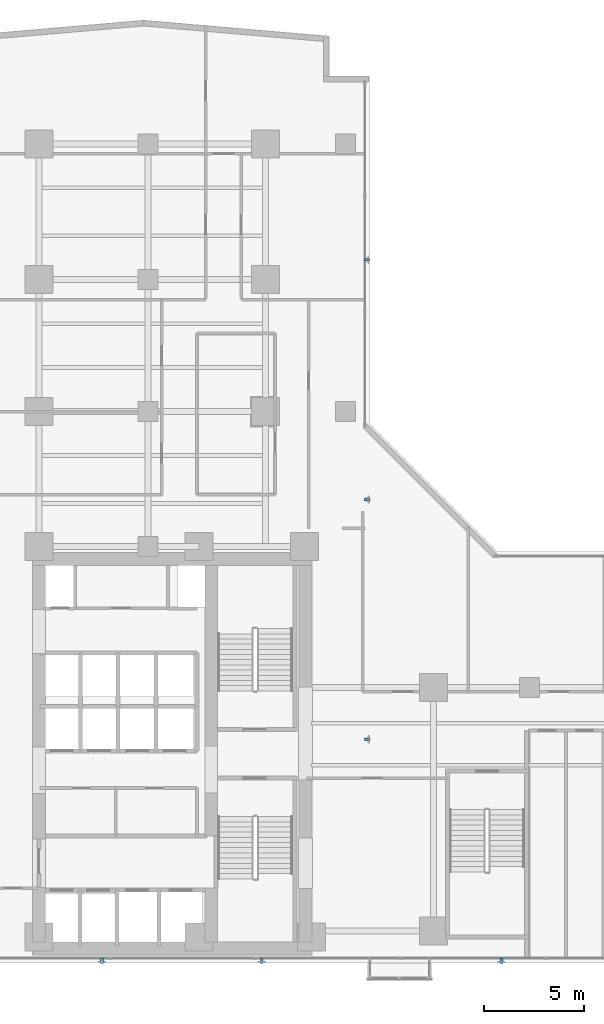
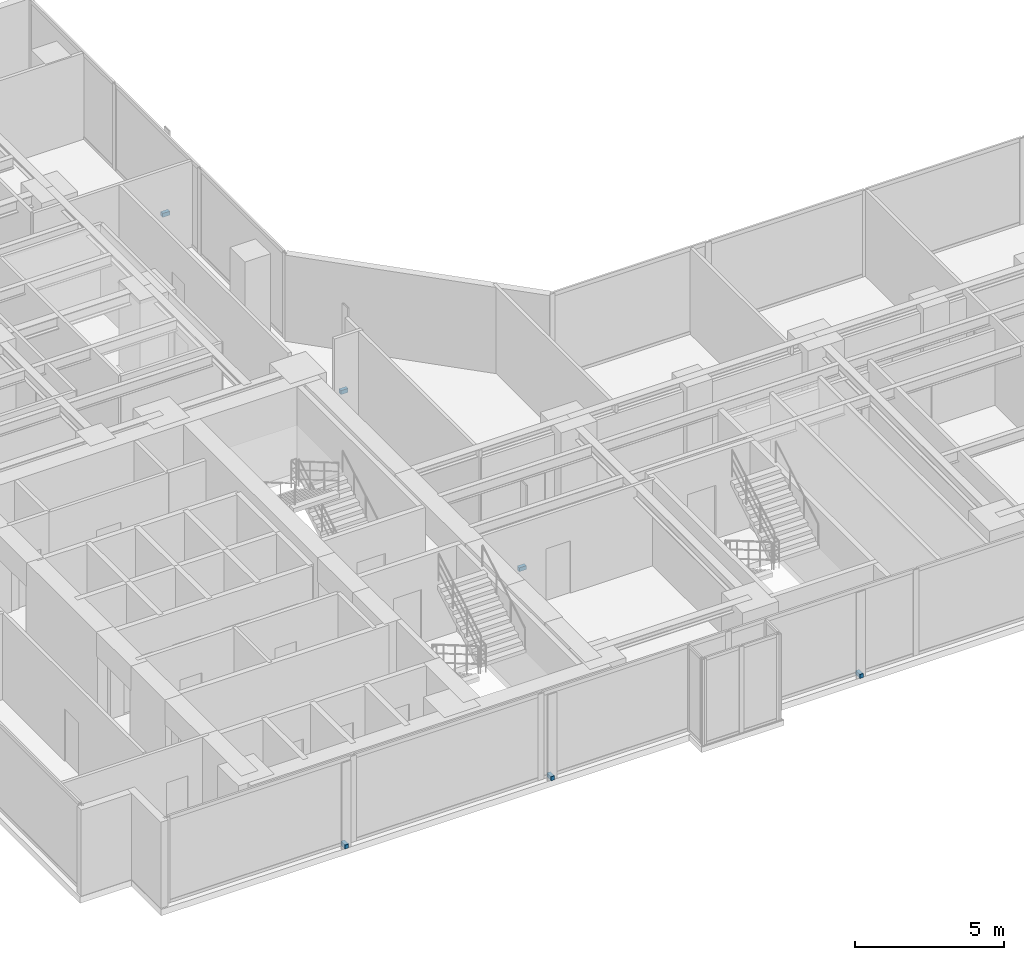
# One storey, part 22 of 26: 6 discrete accessories.
"""IFC4 building model written with IfcOpenShell, lengths in metres."""

import ifcopenshell
import ifcopenshell.guid

model = None  # the IFC model being written
_history = None  # IfcOwnerHistory: only IFC2X3 demands one
_inside = {}  # id of a spatial element -> (the spatial element, [elements in it])
_under = {}  # id of a project, library or spatial element -> (it, [spatial elements below it])
_declared = {}  # id of a project -> (the project, [libraries it declares])
_typed = {}  # id of a type object -> (the type object, [elements of that type])
_made_of = {}  # id of a material, layer set ... -> (it, [elements and type objects made of it])


def new_model(schema):
    """Start an empty IFC model of exactly this schema.

    Asked for "IFC4X3", IfcOpenShell would pick the latest addendum, in which some entities
    have other attributes; the version numbers below select the first issue.
    IFC2X3 requires an IfcOwnerHistory on every rooted entity: one is made here for all.
    """
    global model, _history
    if schema == "IFC4X3":
        model = ifcopenshell.file(schema_version=(4, 3, 0, 0))
    else:
        model = ifcopenshell.file(schema=schema)
    _inside.clear()
    _under.clear()
    _declared.clear()
    _typed.clear()
    _made_of.clear()
    _history = None
    if model.schema == "IFC2X3":
        org = make("IfcOrganization", Name="unknown")
        user = make(
            "IfcPersonAndOrganization",
            ThePerson=make("IfcPerson", FamilyName="unknown"),
            TheOrganization=org,
        )
        app = make(
            "IfcApplication",
            ApplicationDeveloper=org,
            Version="unknown",
            ApplicationFullName="unknown",
            ApplicationIdentifier="unknown",
        )
        _history = make(
            "IfcOwnerHistory",
            OwningUser=user,
            OwningApplication=app,
            ChangeAction="ADDED",
            CreationDate=0,
        )
    return model


def make(cls, **values):
    """One entity of the class cls with the attributes given. An attribute that is None is left unset."""
    return model.create_entity(
        cls, **{name: value for name, value in values.items() if value is not None}
    )


def rooted(cls, **values):
    """An entity with a GlobalId (a new one), such as an element, a storey or a relation."""
    return make(cls, GlobalId=ifcopenshell.guid.new(), OwnerHistory=_history, **values)


def si_unit(unit_type, name, prefix=None):
    """IfcSIUnit, for example si_unit("LENGTHUNIT", "METRE", prefix="MILLI")."""
    return make("IfcSIUnit", UnitType=unit_type, Prefix=prefix, Name=name)


def assignment(units):
    """IfcUnitAssignment: the units of a project."""
    return None if units is None else make("IfcUnitAssignment", Units=units)


def point(xyz):
    """IfcCartesianPoint."""
    return None if xyz is None else make("IfcCartesianPoint", Coordinates=xyz)


def direction(xyz):
    """IfcDirection."""
    return None if xyz is None else make("IfcDirection", DirectionRatios=xyz)


def frame(location, z_axis=None, x_axis=None):
    """IfcAxis2Placement3D, a coordinate frame: its origin and axes. An axis left out is left unset."""
    return make(
        "IfcAxis2Placement3D",
        Location=point(location),
        Axis=direction(z_axis),
        RefDirection=direction(x_axis),
    )


def frame_2d(location, x_axis=None):
    """IfcAxis2Placement2D, a coordinate frame in the plane: its origin and x axis."""
    return make(
        "IfcAxis2Placement2D", Location=point(location), RefDirection=direction(x_axis)
    )


def origin():
    """The frame at (0, 0, 0) with its axes left unset."""
    return frame((0.0, 0.0, 0.0))


def origin_with_axes():
    """The frame at (0, 0, 0) with the z axis (0, 0, 1) and the x axis (1, 0, 0) written out."""
    return frame((0.0, 0.0, 0.0), z_axis=(0.0, 0.0, 1.0), x_axis=(1.0, 0.0, 0.0))


def origin_2d():
    """The frame at (0, 0) in the plane with its x axis left unset."""
    return frame_2d((0.0, 0.0))


def place(relative_to, where):
    """IfcLocalPlacement: puts the frame where relative to a parent placement (None: the world)."""
    return make(
        "IfcLocalPlacement", PlacementRelTo=relative_to, RelativePlacement=where
    )


def context(
    kind, dimensions, precision=None, world=None, true_north=None, identifier=None
):
    """IfcGeometricRepresentationContext, for example the 3D "Model" context."""
    return make(
        "IfcGeometricRepresentationContext",
        ContextIdentifier=identifier,
        ContextType=kind,
        CoordinateSpaceDimension=dimensions,
        Precision=precision,
        WorldCoordinateSystem=world,
        TrueNorth=true_north,
    )


def subcontext(parent, identifier, kind, view, scale=None):
    """IfcGeometricRepresentationSubContext, for example "Body" below "Model"."""
    return make(
        "IfcGeometricRepresentationSubContext",
        ContextIdentifier=identifier,
        ContextType=kind,
        ParentContext=parent,
        TargetScale=scale,
        TargetView=view,
    )


def project(units=None, contexts=None):
    """IfcProject with its units and contexts."""
    return rooted(
        "IfcProject",
        Name="project",
        RepresentationContexts=contexts,
        UnitsInContext=assignment(units),
    )


def spatial(cls, under=None, at=None, **own):
    """A site, building, storey or space (cls), placed at a placement, below another one or the project."""
    s = rooted(cls, ObjectPlacement=at, **own)
    if under is not None:
        _under.setdefault(under.id(), (under, []))[1].append(s)
    return s


def profile(cls, at=None, kind="AREA", **sizes):
    """A parametric profile (cls). Its sizes go by their IFC names, for example OverallWidth=200.0."""
    return make(cls, ProfileType=kind, Position=at, **sizes)


def rectangle(**sizes):
    """IfcRectangleProfileDef."""
    return profile("IfcRectangleProfileDef", **sizes)


def extrude(swept, where, along, depth):
    """IfcExtrudedAreaSolid: the profile swept, set in the frame where, extruded along a direction by depth."""
    return make(
        "IfcExtrudedAreaSolid",
        SweptArea=swept,
        Position=where,
        ExtrudedDirection=direction(along),
        Depth=depth,
    )


def shape(context_of_items, identifier, shape_type, items):
    """IfcShapeRepresentation: the items that make up one representation, for example the "Body"."""
    return make(
        "IfcShapeRepresentation",
        ContextOfItems=context_of_items,
        RepresentationIdentifier=identifier,
        RepresentationType=shape_type,
        Items=items,
    )


def source(mapping_origin, context_of_items, identifier, shape_type, items):
    """IfcRepresentationMap: a shape defined once, which mapped items show again and again."""
    return make(
        "IfcRepresentationMap",
        MappingOrigin=mapping_origin,
        MappedRepresentation=shape(context_of_items, identifier, shape_type, items),
    )


def transform(
    local_origin,
    x_axis=None,
    y_axis=None,
    z_axis=None,
    scale=None,
    scale2=None,
    scale3=None,
    uniform=True,
):
    """IfcCartesianTransformationOperator3D, or its non-uniform kind. x_axis, y_axis, z_axis: its Axis1, 2, 3."""
    if uniform:
        return make(
            "IfcCartesianTransformationOperator3D",
            Axis1=direction(x_axis),
            Axis2=direction(y_axis),
            LocalOrigin=point(local_origin),
            Scale=scale,
            Axis3=direction(z_axis),
        )
    return make(
        "IfcCartesianTransformationOperator3DnonUniform",
        Axis1=direction(x_axis),
        Axis2=direction(y_axis),
        LocalOrigin=point(local_origin),
        Scale=scale,
        Axis3=direction(z_axis),
        Scale2=scale2,
        Scale3=scale3,
    )


def mapped(mapping_source, mapping_target):
    """IfcMappedItem: shows the shape of a source again, moved by a transform."""
    return make(
        "IfcMappedItem", MappingSource=mapping_source, MappingTarget=mapping_target
    )


def material(Name=None, Category=None):
    """IfcMaterial."""
    return make("IfcMaterial", Name=Name, Category=Category)


def made_of(thing, what):
    """Note that an element or type object is made of a material, layer set ...; save() writes the relation."""
    if what is not None:
        _made_of.setdefault(what.id(), (what, []))[1].append(thing)
    return thing


def type_object(cls, material=None, **own):
    """A type object (cls), such as IfcWallType, which elements share."""
    return made_of(rooted(cls, **own), material)


def element(
    cls,
    number,
    at=None,
    inside=None,
    cuts=None,
    type_object=None,
    material=None,
    context=None,
    identifier="Body",
    shape_type=None,
    held_by="IfcProductDefinitionShape",
    body=None,
    shapes=None,
    **own,
):
    """One element of the class cls, such as IfcWall. Its Tag is "e" and its number.

    at: its placement. inside: the storey or other place that contains it. cuts: it is an
    opening in that element (IfcRelVoidsElement). A single representation is given by context,
    identifier, shape_type and body (its items); several are given by shapes. held_by: the class
    of the entity that holds the representations. save() writes the other relations.
    """
    e = rooted(cls, Tag="e%d" % number, ObjectPlacement=at, **own)
    if body is not None:
        shapes = [shape(context, identifier, shape_type, body)]
    if shapes is not None:
        e.Representation = make(held_by, Representations=shapes)
    if inside is not None:
        _inside.setdefault(inside.id(), (inside, []))[1].append(e)
    if cuts is not None:
        rooted(
            "IfcRelVoidsElement", RelatingBuildingElement=cuts, RelatedOpeningElement=e
        )
    if type_object is not None:
        _typed.setdefault(type_object.id(), (type_object, []))[1].append(e)
    return made_of(e, material)


def aggregate(whole, parts):
    """IfcRelAggregates: a whole, such as a stair, and the parts it consists of."""
    return rooted("IfcRelAggregates", RelatingObject=whole, RelatedObjects=parts)


def save(model, path):
    """Write the relations noted so far, then the file.

    IfcRelAggregates (storeys below a building ...), IfcRelContainedInSpatialStructure (elements
    in a storey), IfcRelDefinesByType, IfcRelAssociatesMaterial and IfcRelDeclares: one each for
    every whole, place, type object, material and project.
    """
    for whole, parts in _under.values():
        aggregate(whole, parts)
    for where, things in _inside.values():
        rooted(
            "IfcRelContainedInSpatialStructure",
            RelatedElements=things,
            RelatingStructure=where,
        )
    for kind, things in _typed.values():
        rooted("IfcRelDefinesByType", RelatedObjects=things, RelatingType=kind)
    for what, things in _made_of.values():
        rooted("IfcRelAssociatesMaterial", RelatedObjects=things, RelatingMaterial=what)
    for by, libraries in _declared.values():
        rooted("IfcRelDeclares", RelatingContext=by, RelatedDefinitions=libraries)
    model.write(path)


model = new_model("IFC4")

# Units and contexts
model_context = context("Model", 3, precision=1e-05, world=origin(), true_north=direction((0.0, 1.0)))
body_context = subcontext(model_context, "Body", "Model", "MODEL_VIEW")
ifc_project = project(units=[si_unit("LENGTHUNIT", "METRE"), si_unit("AREAUNIT", "SQUARE_METRE"), si_unit("VOLUMEUNIT", "CUBIC_METRE"), si_unit("PLANEANGLEUNIT", "RADIAN"), si_unit("MASSUNIT", "GRAM", prefix="KILO")], contexts=[model_context])

# Site, building, storey
site_placement = place(None, origin())
site = spatial("IfcSite", under=ifc_project, at=site_placement, CompositionType="ELEMENT")
building_placement = place(site_placement, origin())
building = spatial("IfcBuilding", under=site, at=building_placement, Name="Kolvaren Waterfront Exchange", CompositionType="ELEMENT")
storey_placement = place(building_placement, frame((0.0, 0.0, 122.10009765625)))
storey = spatial("IfcBuildingStorey", under=building, at=storey_placement, Name="L31", CompositionType="ELEMENT", Elevation=122.10009765625)

# Discrete accessories
ifc_material = material(Name="Stainless steel 316", Category="steel")
discrete_accessory_type = type_object("IfcDiscreteAccessoryType", Name="ARC-BRK-FIN", PredefinedType="BRACKET", material=ifc_material)
shared_shape = source(origin_with_axes(), body_context, "Body", "SweptSolid", [
    extrude(rectangle(XDim=0.280029296875, YDim=0.139892578125, at=origin_2d()), origin(), (0.0, 0.0, 1.0), 0.159912109375),
])
for number, where, z_axis, x_axis, name in (
    (1, (10.60009765625, 3.719970703125, 0.0), (0.0, 0.0, 1.0), (0.0, -1.0, 0.0), "L31 bronze fin anchor bracket FIN-L31-S1"),
    (2, (18.60009765625, 3.719970703125, 0.0), (0.0, 0.0, 1.0), (0.0, -1.0, 0.0), "L31 bronze fin anchor bracket FIN-L31-S2"),
    (3, (30.60009765625, 3.719970703125, 0.0), (0.0, 0.0, 1.0), (0.0, -1.0, 0.0), "L31 bronze fin anchor bracket FIN-L31-S3"),
    (4, (23.8798828125, 14.800048828125, 0.0), (0.0, 0.0, 1.0), (1.0, 0.0, 0.0), "L31 bronze fin anchor bracket FIN-L31-E1"),
    (5, (23.8798828125, 26.800048828125, 0.0), (0.0, 0.0, 1.0), (1.0, 0.0, 0.0), "L31 bronze fin anchor bracket FIN-L31-E2"),
    (6, (23.8798828125, 38.800048828125, 0.0), (0.0, 0.0, 1.0), (1.0, 0.0, 0.0), "L31 bronze fin anchor bracket FIN-L31-E3"),
):
    element("IfcDiscreteAccessory", number, at=place(storey_placement, frame(where, z_axis=z_axis, x_axis=x_axis)), inside=storey, type_object=discrete_accessory_type, Name=name, PredefinedType="BRACKET", context=body_context, shape_type="MappedRepresentation", body=[
        mapped(shared_shape, transform((0.0, 0.0, 0.0), x_axis=(1.0, 0.0, 0.0), y_axis=(0.0, 1.0, 0.0), z_axis=(0.0, 0.0, 1.0), scale=1.0)),
    ])

save(model, "model.ifc")
